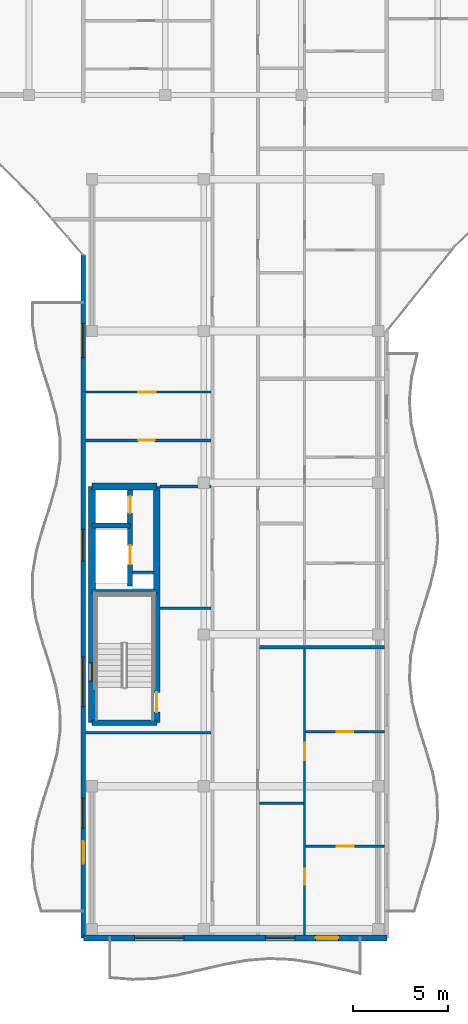
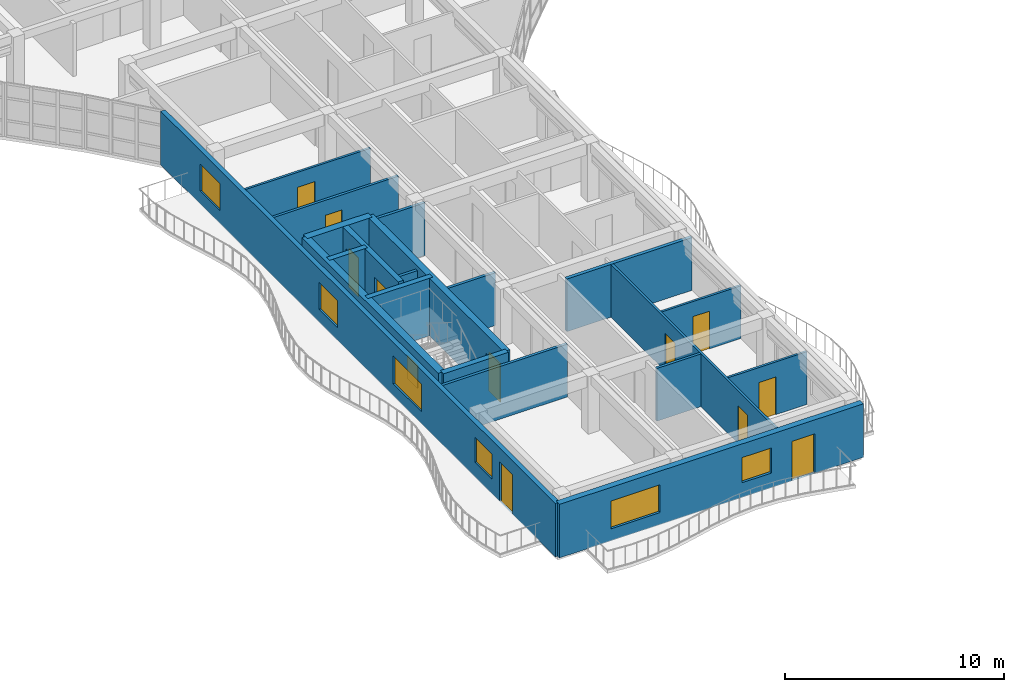
# One storey, part 37 of 72: 20 walls, 11 doors, 7 windows, 18 openings.
"""IFC4 building model written with IfcOpenShell, lengths in metres."""

from ifc_helpers import new_model, si_unit, direction, frame, frame_2d, origin, place, context, subcontext, project, spatial, rectangle, extrude, material, layer, layer_set, type_object, element, fill, save


model = new_model("IFC4")

# Units and contexts
model_context = context("Model", 3, precision=1e-05, world=origin(), true_north=direction((0.0, 1.0)))
body_context = subcontext(model_context, "Body", "Model", "MODEL_VIEW")
ifc_project = project(units=[si_unit("LENGTHUNIT", "METRE"), si_unit("AREAUNIT", "SQUARE_METRE"), si_unit("VOLUMEUNIT", "CUBIC_METRE"), si_unit("PLANEANGLEUNIT", "RADIAN"), si_unit("MASSUNIT", "GRAM", prefix="KILO")], contexts=[model_context])

# Site, building, storey
site_placement = place(None, origin())
site = spatial("IfcSite", under=ifc_project, at=site_placement, CompositionType="ELEMENT")
building_placement = place(site_placement, origin())
building = spatial("IfcBuilding", under=site, at=building_placement, Name="Keldmere Railside Commons", CompositionType="ELEMENT")
storey_placement = place(building_placement, frame((0.0, 0.0, 16.9599609375)))
storey = spatial("IfcBuildingStorey", under=building, at=storey_placement, Name="L05", CompositionType="ELEMENT", Elevation=16.9599609375)

# Wall
ifc_material_1 = material(Name="Acoustic Gypsum Board Partition", Category="gypsum")
ifc_layer_1 = layer(ifc_material_1, 0.179931640625, Name="Acoustic Demising Partition 180")
ifc_layer_set_1 = layer_set([ifc_layer_1], Name="Acoustic Gypsum Board Partition")
wall_type_1 = type_object("IfcWallType", Name="Acoustic Demising Partition 180", PredefinedType="PARTITIONING", material=ifc_layer_set_1)
wall_1_placement = place(storey_placement, frame((113.280029296875, 71.330078125, 0.0), z_axis=(0.0, 0.0, 1.0), x_axis=(1.0, 0.0, 0.0)))
element("IfcWall", 1, at=wall_1_placement, inside=storey, type_object=wall_type_1, Name="IW-1 IW-L05-1104", PredefinedType="PARTITIONING", context=body_context, shape_type="SweptSolid", body=[
    extrude(rectangle(XDim=6.599853515625, YDim=0.179931640625, at=frame_2d((3.2998046875, 0.0))), origin(), (0.0, 0.0, 1.0), 2.93505859375),
])

# Wall, openings, doors
ifc_layer_2 = layer(ifc_material_1, 0.1201171875, Name="Apartment Interior Partition 120")
ifc_layer_set_2 = layer_set([ifc_layer_2], Name="Acoustic Gypsum Board Partition")
wall_type_2 = type_object("IfcWallType", Name="Apartment Interior Partition 120", PredefinedType="PARTITIONING", material=ifc_layer_set_2)
wall_2_placement = place(storey_placement, frame((115.659912109375, 56.159912109375, 0.0), z_axis=(0.0, 0.0, 1.0), x_axis=(0.0, 1.0, 0.0)))
wall_2 = element("IfcWall", 2, at=wall_2_placement, inside=storey, type_object=wall_type_2, Name="IW-4 IW-L05-1107", PredefinedType="PARTITIONING", context=body_context, shape_type="SweptSolid", body=[
    extrude(rectangle(XDim=15.080078125, YDim=0.1201171875, at=frame_2d((7.5400390625, 0.0))), origin(), (0.0, 0.0, 1.0), 2.93505859375),
])
opening_1_placement = place(wall_2_placement, frame((2.63720703125, 0.0, 0.0)))
opening_1 = element("IfcOpeningElement", 3, at=opening_1_placement, cuts=wall_2, Name="Opening ID-04", PredefinedType="OPENING", context=body_context, shape_type="SweptSolid", body=[
    extrude(rectangle(XDim=0.860107421875, YDim=2.10009765625, at=frame_2d((0.43017578125, 1.050048828125))), frame((0.0, 0.070068359375, 0.0), z_axis=(0.0, -1.0, 0.0), x_axis=(1.0, 0.0, 0.0)), (0.0, 0.0, 1.0), 0.14013671875),
])
opening_2_placement = place(wall_2_placement, frame((9.21923828125, 0.0, 0.0)))
opening_2 = element("IfcOpeningElement", 4, at=opening_2_placement, cuts=wall_2, Name="Opening ID-03", PredefinedType="OPENING", context=body_context, shape_type="SweptSolid", body=[
    extrude(rectangle(XDim=0.919921875, YDim=2.10009765625, at=frame_2d((0.4599609375, 1.050048828125))), frame((0.0, 0.070068359375, 0.0), z_axis=(0.0, -1.0, 0.0), x_axis=(1.0, 0.0, 0.0)), (0.0, 0.0, 1.0), 0.14013671875),
])
ifc_material_2 = material(Name="Engineered Oak Timber", Category="wood")
door_type_1 = type_object("IfcDoorType", Name="Apartment Bathroom Door 860x2100", OperationType="NOTDEFINED", PredefinedType="DOOR", material=ifc_material_2)
door_1_placement = place(opening_1_placement, origin())
door_1 = element("IfcDoor", 5, at=door_1_placement, inside=storey, type_object=door_type_1, Name="ID-04 IDR-L05-0968", OperationType="SINGLE_SWING_RIGHT", OverallHeight=2.10009765625, OverallWidth=0.860107421875, PredefinedType="DOOR", context=body_context, shape_type="SweptSolid", body=[
    extrude(rectangle(XDim=0.860107421875, YDim=2.10009765625, at=frame_2d((0.43017578125, 1.050048828125))), frame((0.0, 0.02490234375, 0.0), z_axis=(0.0, -1.0, 0.0), x_axis=(1.0, 0.0, 0.0)), (0.0, 0.0, 1.0), 0.050048828125),
])
fill(opening_1, door_1)
door_type_2 = type_object("IfcDoorType", Name="Kitchen Pocket-Frame Swing Door 920x2100", OperationType="NOTDEFINED", PredefinedType="DOOR", material=ifc_material_2)
door_2_placement = place(opening_2_placement, origin())
door_2 = element("IfcDoor", 6, at=door_2_placement, inside=storey, type_object=door_type_2, Name="ID-03 IDR-L05-0969", OperationType="SINGLE_SWING_LEFT", OverallHeight=2.10009765625, OverallWidth=0.919921875, PredefinedType="DOOR", context=body_context, shape_type="SweptSolid", body=[
    extrude(rectangle(XDim=0.919921875, YDim=2.10009765625, at=frame_2d((0.4599609375, 1.050048828125))), frame((0.0, 0.02490234375, 0.0), z_axis=(0.0, -1.0, 0.0), x_axis=(1.0, 0.0, 0.0)), (0.0, 0.0, 1.0), 0.050048828125),
])
fill(opening_2, door_2)

# Wall, opening, door
wall_3_placement = place(storey_placement, frame((115.719970703125, 60.830078125, 0.0), z_axis=(0.0, 0.0, 1.0), x_axis=(1.0, 0.0, 0.0)))
wall_3 = element("IfcWall", 7, at=wall_3_placement, inside=storey, type_object=wall_type_2, Name="IW-4 IW-L05-1109", PredefinedType="PARTITIONING", context=body_context, shape_type="SweptSolid", body=[
    extrude(rectangle(XDim=4.159912109375, YDim=0.1201171875, at=frame_2d((2.080078125, 0.0))), origin(), (0.0, 0.0, 1.0), 2.93505859375),
])
opening_3_placement = place(wall_3_placement, frame((1.6298828125, 0.0, 0.0)))
opening_3 = element("IfcOpeningElement", 8, at=opening_3_placement, cuts=wall_3, Name="Opening ID-01", PredefinedType="OPENING", context=body_context, shape_type="SweptSolid", body=[
    extrude(rectangle(XDim=0.89990234375, YDim=2.10009765625, at=frame_2d((0.449951171875, 1.050048828125))), frame((0.0, 0.070068359375, 0.0), z_axis=(0.0, -1.0, 0.0), x_axis=(1.0, 0.0, 0.0)), (0.0, 0.0, 1.0), 0.14013671875),
])
door_type_3 = type_object("IfcDoorType", Name="Primary Bedroom Door 900x2100", OperationType="NOTDEFINED", PredefinedType="DOOR", material=ifc_material_2)
door_3_placement = place(opening_3_placement, origin())
door_3 = element("IfcDoor", 9, at=door_3_placement, inside=storey, type_object=door_type_3, Name="ID-01 IDR-L05-0971", OperationType="SINGLE_SWING_LEFT", OverallHeight=2.10009765625, OverallWidth=0.89990234375, PredefinedType="DOOR", context=body_context, shape_type="SweptSolid", body=[
    extrude(rectangle(XDim=0.89990234375, YDim=2.10009765625, at=frame_2d((0.449951171875, 1.050048828125))), frame((0.0, 0.02490234375, 0.0), z_axis=(0.0, -1.0, 0.0), x_axis=(1.0, 0.0, 0.0)), (0.0, 0.0, 1.0), 0.050048828125),
])
fill(opening_3, door_3)

wall_4_placement = place(storey_placement, frame((115.719970703125, 66.8701171875, 0.0), z_axis=(0.0, 0.0, 1.0), x_axis=(1.0, 0.0, 0.0)))
wall_4 = element("IfcWall", 10, at=wall_4_placement, inside=storey, type_object=wall_type_2, Name="IW-4 IW-L05-1110", PredefinedType="PARTITIONING", context=body_context, shape_type="SweptSolid", body=[
    extrude(rectangle(XDim=4.159912109375, YDim=0.1201171875, at=frame_2d((2.080078125, 0.0))), origin(), (0.0, 0.0, 1.0), 2.93505859375),
])
opening_4_placement = place(wall_4_placement, frame((1.639892578125, 0.0, 0.0)))
opening_4 = element("IfcOpeningElement", 11, at=opening_4_placement, cuts=wall_4, Name="Opening ID-02", PredefinedType="OPENING", context=body_context, shape_type="SweptSolid", body=[
    extrude(rectangle(XDim=0.8798828125, YDim=2.10009765625, at=frame_2d((0.43994140625, 1.050048828125))), frame((0.0, 0.070068359375, 0.0), z_axis=(0.0, -1.0, 0.0), x_axis=(1.0, 0.0, 0.0)), (0.0, 0.0, 1.0), 0.14013671875),
])
door_type_4 = type_object("IfcDoorType", Name="Secondary Bedroom Door 880x2100", OperationType="NOTDEFINED", PredefinedType="DOOR", material=ifc_material_2)
door_4_placement = place(opening_4_placement, origin())
door_4 = element("IfcDoor", 12, at=door_4_placement, inside=storey, type_object=door_type_4, Name="ID-02 IDR-L05-0972", OperationType="SINGLE_SWING_RIGHT", OverallHeight=2.10009765625, OverallWidth=0.8798828125, PredefinedType="DOOR", context=body_context, shape_type="SweptSolid", body=[
    extrude(rectangle(XDim=0.8798828125, YDim=2.10009765625, at=frame_2d((0.43994140625, 1.050048828125))), frame((0.0, 0.02490234375, 0.0), z_axis=(0.0, -1.0, 0.0), x_axis=(1.0, 0.0, 0.0)), (0.0, 0.0, 1.0), 0.050048828125),
])
fill(opening_4, door_4)

wall_5_placement = place(storey_placement, frame((104.1201171875, 84.780029296875, 0.0), z_axis=(0.0, 0.0, 1.0), x_axis=(1.0, 0.0, 0.0)))
wall_5 = element("IfcWall", 13, at=wall_5_placement, inside=storey, type_object=wall_type_2, Name="IW-4 IW-L05-1137", PredefinedType="PARTITIONING", context=body_context, shape_type="SweptSolid", body=[
    extrude(rectangle(XDim=6.599853515625, YDim=0.1201171875, at=frame_2d((3.2998046875, 0.0))), origin(), (0.0, 0.0, 1.0), 2.93505859375),
])
opening_5_placement = place(wall_5_placement, frame((2.77197265625, 0.0, 0.0)))
opening_5 = element("IfcOpeningElement", 14, at=opening_5_placement, cuts=wall_5, Name="Opening ID-03", PredefinedType="OPENING", context=body_context, shape_type="SweptSolid", body=[
    extrude(rectangle(XDim=0.919921875, YDim=2.10009765625, at=frame_2d((0.4599609375, 1.050048828125))), frame((0.0, 0.070068359375, 0.0), z_axis=(0.0, -1.0, 0.0), x_axis=(1.0, 0.0, 0.0)), (0.0, 0.0, 1.0), 0.14013671875),
])
door_5_placement = place(opening_5_placement, origin())
door_5 = element("IfcDoor", 15, at=door_5_placement, inside=storey, type_object=door_type_2, Name="ID-03 IDR-L05-1007", OperationType="SINGLE_SWING_LEFT", OverallHeight=2.10009765625, OverallWidth=0.919921875, PredefinedType="DOOR", context=body_context, shape_type="SweptSolid", body=[
    extrude(rectangle(XDim=0.919921875, YDim=2.10009765625, at=frame_2d((0.4599609375, 1.050048828125))), frame((0.0, 0.02490234375, 0.0), z_axis=(0.0, -1.0, 0.0), x_axis=(1.0, 0.0, 0.0)), (0.0, 0.0, 1.0), 0.050048828125),
])
fill(opening_5, door_5)

# Walls
ifc_material_3 = material(Name="Concrete H-35 (C35/45)", Category="concrete")
ifc_layer_3 = layer(ifc_material_3, 0.280029296875, Name="Core Shear Wall 280")
ifc_layer_set_3 = layer_set([ifc_layer_3], Name="Concrete H-35 (C35/45)")
wall_type_3 = type_object("IfcWallType", Name="Core Shear Wall 280", PredefinedType="SHEAR", material=ifc_layer_set_3)
wall_6_placement = place(storey_placement, frame((104.4599609375, 74.239990234375, 0.0), z_axis=(0.0, 0.0, 1.0), x_axis=(1.0, 0.0, 0.0)))
element("IfcWall", 16, at=wall_6_placement, inside=storey, type_object=wall_type_3, Name="CSW-2 COREBM-L05-0496", PredefinedType="SHEAR", context=body_context, shape_type="SweptSolid", body=[
    extrude(rectangle(XDim=3.41015625, YDim=0.280029296875, at=frame_2d((1.705078125, 0.0))), origin(), (0.0, 0.0, 1.0), 3.199951171875),
])
wall_7_placement = place(storey_placement, frame((104.4599609375, 77.75, 0.0), z_axis=(0.0, 0.0, 1.0), x_axis=(1.0, 0.0, 0.0)))
element("IfcWall", 17, at=wall_7_placement, inside=storey, type_object=wall_type_3, Name="CSW-2 COREBL-L05-0497", PredefinedType="SHEAR", context=body_context, shape_type="SweptSolid", body=[
    extrude(rectangle(XDim=2.0, YDim=0.280029296875, at=frame_2d((1.0, 0.0))), origin(), (0.0, 0.0, 1.0), 3.199951171875),
])

# Wall, openings, doors
wall_8_placement = place(storey_placement, frame((106.4599609375, 74.550048828125, 0.0), z_axis=(0.0, 0.0, 1.0), x_axis=(0.0, 1.0, 0.0)))
wall_8 = element("IfcWall", 18, at=wall_8_placement, inside=storey, type_object=wall_type_3, Name="CSW-2 LSHB-L05-0498", PredefinedType="SHEAR", context=body_context, shape_type="SweptSolid", body=[
    extrude(rectangle(XDim=5.25, YDim=0.280029296875, at=frame_2d((2.625, 0.0))), origin(), (0.0, 0.0, 1.0), 3.199951171875),
])
opening_6_placement = place(wall_8_placement, frame((1.14990234375, 0.0, 0.0)))
opening_6 = element("IfcOpeningElement", 19, at=opening_6_placement, cuts=wall_8, Name="Opening LD-1", PredefinedType="OPENING", context=body_context, shape_type="SweptSolid", body=[
    extrude(rectangle(XDim=1.0, YDim=2.14990234375, at=frame_2d((0.5, 1.074951171875))), frame((0.0, 0.14990234375, 0.0), z_axis=(0.0, -1.0, 0.0), x_axis=(1.0, 0.0, 0.0)), (0.0, 0.0, 1.0), 0.300048828125),
])
opening_7_placement = place(wall_8_placement, frame((3.85009765625, 0.0, 0.0)))
opening_7 = element("IfcOpeningElement", 20, at=opening_7_placement, cuts=wall_8, Name="Opening LD-2", PredefinedType="OPENING", context=body_context, shape_type="SweptSolid", body=[
    extrude(rectangle(XDim=0.89990234375, YDim=2.14990234375, at=frame_2d((0.449951171875, 1.074951171875))), frame((0.0, 0.14990234375, 0.0), z_axis=(0.0, -1.0, 0.0), x_axis=(1.0, 0.0, 0.0)), (0.0, 0.0, 1.0), 0.300048828125),
])
ifc_material_4 = material(Name="Steel F-24 (S235)", Category="steel")
door_type_5 = type_object("IfcDoorType", Name="Firefighting Stretcher Lift Landing Door 1000x2150", OperationType="SLIDING_TO_LEFT", PredefinedType="DOOR", material=ifc_material_4)
door_6_placement = place(opening_6_placement, origin())
door_6 = element("IfcDoor", 21, at=door_6_placement, inside=storey, type_object=door_type_5, Name="LD-1 B L05", OperationType="SLIDING_TO_LEFT", OverallHeight=2.14990234375, OverallWidth=1.0, PredefinedType="DOOR", context=body_context, shape_type="SweptSolid", body=[
    extrude(rectangle(XDim=1.0, YDim=2.14990234375, at=frame_2d((0.5, 1.074951171875))), frame((0.0, 0.02490234375, 0.0), z_axis=(0.0, -1.0, 0.0), x_axis=(1.0, 0.0, 0.0)), (0.0, 0.0, 1.0), 0.050048828125),
])
fill(opening_6, door_6)
door_type_6 = type_object("IfcDoorType", Name="Passenger Lift Sliding Landing Door 900x2150", OperationType="SLIDING_TO_RIGHT", PredefinedType="DOOR", material=ifc_material_4)
door_7_placement = place(opening_7_placement, origin())
door_7 = element("IfcDoor", 22, at=door_7_placement, inside=storey, type_object=door_type_6, Name="LD-2 B L05", OperationType="SLIDING_TO_RIGHT", OverallHeight=2.14990234375, OverallWidth=0.89990234375, PredefinedType="DOOR", context=body_context, shape_type="SweptSolid", body=[
    extrude(rectangle(XDim=0.89990234375, YDim=2.14990234375, at=frame_2d((0.449951171875, 1.074951171875))), frame((0.0, 0.02490234375, 0.0), z_axis=(0.0, -1.0, 0.0), x_axis=(1.0, 0.0, 0.0)), (0.0, 0.0, 1.0), 0.050048828125),
])
fill(opening_7, door_7)

# Wall, opening, window
ifc_material_5 = material(Name="Concrete H-40 (C40/50)", Category="concrete")
ifc_layer_4 = layer(ifc_material_5, 0.3798828125, Name="Core Shear Wall 380")
ifc_layer_set_4 = layer_set([ifc_layer_4], Name="Concrete H-40 (C40/50)")
wall_type_4 = type_object("IfcWallType", Name="Core Shear Wall 380", PredefinedType="SHEAR", material=ifc_layer_set_4)
wall_9_placement = place(storey_placement, frame((104.4599609375, 67.35009765625, 0.0), z_axis=(0.0, 0.0, 1.0), x_axis=(0.0, 1.0, 0.0)))
wall_9 = element("IfcWall", 23, at=wall_9_placement, inside=storey, type_object=wall_type_4, Name="CW-CORE COREBW-L05-0492", PredefinedType="SHEAR", context=body_context, shape_type="SweptSolid", body=[
    extrude(rectangle(XDim=12.449951171875, YDim=0.3798828125, at=frame_2d((6.22509765625, 0.0))), origin(), (0.0, 0.0, 1.0), 3.199951171875),
])
opening_8_placement = place(wall_9_placement, frame((2.199951171875, 0.0, 0.969970703125)))
opening_8 = element("IfcOpeningElement", 24, at=opening_8_placement, cuts=wall_9, Name="Opening WN-17", PredefinedType="OPENING", context=body_context, shape_type="SweptSolid", body=[
    extrude(rectangle(XDim=0.949951171875, YDim=1.25, at=frame_2d((0.47509765625, 0.625))), frame((0.0, 0.199951171875, 0.0), z_axis=(0.0, -1.0, 0.0), x_axis=(1.0, 0.0, 0.0)), (0.0, 0.0, 1.0), 0.39990234375),
])
ifc_material_6 = material(Name="Low-E Insulated Double Glazing", Category="glass")
window_type_1 = type_object("IfcWindowType", Name="Stair Core Natural Smoke-Vent Window 950x1250", PartitioningType="SINGLE_PANEL", PredefinedType="WINDOW", material=ifc_material_6)
window_1_placement = place(opening_8_placement, origin())
window_1 = element("IfcWindow", 25, at=window_1_placement, inside=storey, type_object=window_type_1, Name="WN-17 WIN-L05-0342", OverallHeight=1.25, OverallWidth=0.949951171875, PartitioningType="SINGLE_PANEL", PredefinedType="WINDOW", context=body_context, shape_type="SweptSolid", body=[
    extrude(rectangle(XDim=0.949951171875, YDim=1.25, at=frame_2d((0.47509765625, 0.625))), frame((0.0, 0.030029296875, 0.0), z_axis=(0.0, -1.0, 0.0), x_axis=(1.0, 0.0, 0.0)), (0.0, 0.0, 1.0), 0.06005859375),
])
fill(opening_8, window_1)

# Wall
wall_10_placement = place(storey_placement, frame((104.4599609375, 79.800048828125, 0.0), z_axis=(0.0, 0.0, 1.0), x_axis=(1.0, 0.0, 0.0)))
element("IfcWall", 26, at=wall_10_placement, inside=storey, type_object=wall_type_4, Name="CW-CORE COREBN-L05-0493", PredefinedType="SHEAR", context=body_context, shape_type="SweptSolid", body=[
    extrude(rectangle(XDim=3.41015625, YDim=0.3798828125, at=frame_2d((1.705078125, 0.0))), origin(), (0.0, 0.0, 1.0), 3.199951171875),
])

# Wall, openings, door, windows
ifc_layer_5 = layer(ifc_material_3, 0.320068359375, Name="Exterior Shear Wall 320")
ifc_layer_set_5 = layer_set([ifc_layer_5], Name="Concrete H-35 (C35/45)")
wall_type_5 = type_object("IfcWallType", Name="Exterior Shear Wall 320", PredefinedType="SHEAR", material=ifc_layer_set_5)
wall_11_placement = place(storey_placement, frame((120.0, 56.0, 0.0), z_axis=(0.0, 0.0, 1.0), x_axis=(-1.0, 0.0, 0.0)))
wall_11 = element("IfcWall", 27, at=wall_11_placement, inside=storey, type_object=wall_type_5, Name="ESW-2 EXTB-L05-0620", PredefinedType="SHEAR", context=body_context, shape_type="SweptSolid", body=[
    extrude(rectangle(XDim=16.0, YDim=0.320068359375, at=frame_2d((8.0, 0.0))), origin(), (0.0, 0.0, 1.0), 2.97998046875),
])
opening_9_placement = place(wall_11_placement, frame((2.550048828125, 0.0, 0.0)))
opening_9 = element("IfcOpeningElement", 28, at=opening_9_placement, cuts=wall_11, Name="Opening BD-01", PredefinedType="OPENING", context=body_context, shape_type="SweptSolid", body=[
    extrude(rectangle(XDim=1.199951171875, YDim=2.199951171875, at=frame_2d((0.60009765625, 1.10009765625))), frame((0.0, 0.169921875, 0.0), z_axis=(0.0, -1.0, 0.0), x_axis=(1.0, 0.0, 0.0)), (0.0, 0.0, 1.0), 0.340087890625),
])
opening_10_placement = place(wall_11_placement, frame((4.85009765625, 0.0, 0.820068359375)))
opening_10 = element("IfcOpeningElement", 29, at=opening_10_placement, cuts=wall_11, Name="Opening WN-07", PredefinedType="OPENING", context=body_context, shape_type="SweptSolid", body=[
    extrude(rectangle(XDim=1.550048828125, YDim=1.39990234375, at=frame_2d((0.77490234375, 0.699951171875))), frame((0.0, 0.169921875, 0.0), z_axis=(0.0, -1.0, 0.0), x_axis=(1.0, 0.0, 0.0)), (0.0, 0.0, 1.0), 0.340087890625),
])
opening_11_placement = place(wall_11_placement, frame((10.699951171875, 0.0, 0.669921875)))
opening_11 = element("IfcOpeningElement", 30, at=opening_11_placement, cuts=wall_11, Name="Opening WN-39", PredefinedType="OPENING", context=body_context, shape_type="SweptSolid", body=[
    extrude(rectangle(XDim=2.60009765625, YDim=1.550048828125, at=frame_2d((1.300048828125, 0.77490234375))), frame((0.0, 0.169921875, 0.0), z_axis=(0.0, -1.0, 0.0), x_axis=(1.0, 0.0, 0.0)), (0.0, 0.0, 1.0), 0.340087890625),
])
ifc_material_7 = material(Name="Thermally Broken Aluminium", Category="aluminium")
door_type_7 = type_object("IfcDoorType", Name="Apartment Living Wave-Balcony Glazed Door 1200x2200", OperationType="NOTDEFINED", PredefinedType="DOOR", material=ifc_material_7)
door_8_placement = place(opening_9_placement, origin())
door_8 = element("IfcDoor", 31, at=door_8_placement, inside=storey, type_object=door_type_7, Name="BD-01 DR-L05-0160", OperationType="SINGLE_SWING_RIGHT", OverallHeight=2.199951171875, OverallWidth=1.199951171875, PredefinedType="DOOR", context=body_context, shape_type="SweptSolid", body=[
    extrude(rectangle(XDim=1.199951171875, YDim=2.199951171875, at=frame_2d((0.60009765625, 1.10009765625))), frame((0.0, 0.02490234375, 0.0), z_axis=(0.0, -1.0, 0.0), x_axis=(1.0, 0.0, 0.0)), (0.0, 0.0, 1.0), 0.050048828125),
])
fill(opening_9, door_8)
window_type_2 = type_object("IfcWindowType", Name="Primary Bedroom South Window 1550x1400", PartitioningType="SINGLE_PANEL", PredefinedType="WINDOW", material=ifc_material_6)
window_2_placement = place(opening_10_placement, origin())
window_2 = element("IfcWindow", 32, at=window_2_placement, inside=storey, type_object=window_type_2, Name="WN-07 WIN-L05-0436", OverallHeight=1.39990234375, OverallWidth=1.550048828125, PartitioningType="SINGLE_PANEL", PredefinedType="WINDOW", context=body_context, shape_type="SweptSolid", body=[
    extrude(rectangle(XDim=1.550048828125, YDim=1.39990234375, at=frame_2d((0.77490234375, 0.699951171875))), frame((0.0, 0.030029296875, 0.0), z_axis=(0.0, -1.0, 0.0), x_axis=(1.0, 0.0, 0.0)), (0.0, 0.0, 1.0), 0.06005859375),
])
fill(opening_10, window_2)
window_type_3 = type_object("IfcWindowType", Name="Three-Bed Corner Living Window 2600x1550", PartitioningType="SINGLE_PANEL", PredefinedType="WINDOW", material=ifc_material_6)
window_3_placement = place(opening_11_placement, origin())
window_3 = element("IfcWindow", 33, at=window_3_placement, inside=storey, type_object=window_type_3, Name="WN-39 WIN-L05-0437", OverallHeight=1.550048828125, OverallWidth=2.60009765625, PartitioningType="SINGLE_PANEL", PredefinedType="WINDOW", context=body_context, shape_type="SweptSolid", body=[
    extrude(rectangle(XDim=2.60009765625, YDim=1.550048828125, at=frame_2d((1.300048828125, 0.77490234375))), frame((0.0, 0.030029296875, 0.0), z_axis=(0.0, -1.0, 0.0), x_axis=(1.0, 0.0, 0.0)), (0.0, 0.0, 1.0), 0.06005859375),
])
fill(opening_11, window_3)

# Wall
ifc_layer_6 = layer(ifc_material_3, 0.300048828125, Name="Interior Shear Wall 300")
ifc_layer_set_6 = layer_set([ifc_layer_6], Name="Concrete H-35 (C35/45)")
wall_type_6 = type_object("IfcWallType", Name="Interior Shear Wall 300", PredefinedType="SHEAR", material=ifc_layer_set_6)
wall_12_placement = place(storey_placement, frame((107.8701171875, 67.35009765625, 0.0), z_axis=(0.0, 0.0, 1.0), x_axis=(-1.0, 0.0, 0.0)))
element("IfcWall", 34, at=wall_12_placement, inside=storey, type_object=wall_type_6, Name="ISW-2 COREBS-L05-0495", PredefinedType="SHEAR", context=body_context, shape_type="SweptSolid", body=[
    extrude(rectangle(XDim=3.41015625, YDim=0.300048828125, at=frame_2d((1.705078125, 0.0))), origin(), (0.0, 0.0, 1.0), 3.199951171875),
])

# Wall, opening, door
ifc_layer_7 = layer(ifc_material_3, 0.340087890625, Name="Interior Shear Wall 340")
ifc_layer_set_7 = layer_set([ifc_layer_7], Name="Concrete H-35 (C35/45)")
wall_type_7 = type_object("IfcWallType", Name="Interior Shear Wall 340", PredefinedType="SHEAR", material=ifc_layer_set_7)
wall_13_placement = place(storey_placement, frame((107.8701171875, 79.800048828125, 0.0), z_axis=(0.0, 0.0, 1.0), x_axis=(0.0, -1.0, 0.0)))
wall_13 = element("IfcWall", 35, at=wall_13_placement, inside=storey, type_object=wall_type_7, Name="ISW-1 COREBE-L05-0494", PredefinedType="SHEAR", context=body_context, shape_type="SweptSolid", body=[
    extrude(rectangle(XDim=12.449951171875, YDim=0.340087890625, at=frame_2d((6.22509765625, 0.0))), origin(), (0.0, 0.0, 1.0), 3.199951171875),
])
opening_12_placement = place(wall_13_placement, frame((10.85009765625, 0.0, 0.0)))
opening_12 = element("IfcOpeningElement", 36, at=opening_12_placement, cuts=wall_13, Name="Opening FD-1", PredefinedType="OPENING", context=body_context, shape_type="SweptSolid", body=[
    extrude(rectangle(XDim=1.050048828125, YDim=2.14990234375, at=frame_2d((0.52490234375, 1.074951171875))), frame((0.0, 0.179931640625, 0.0), z_axis=(0.0, -1.0, 0.0), x_axis=(1.0, 0.0, 0.0)), (0.0, 0.0, 1.0), 0.360107421875),
])
door_type_8 = type_object("IfcDoorType", Name="Stair Core Fire Door 1050x2150", OperationType="NOTDEFINED", PredefinedType="DOOR", material=ifc_material_4)
door_9_placement = place(opening_12_placement, origin())
door_9 = element("IfcDoor", 37, at=door_9_placement, inside=storey, type_object=door_type_8, Name="FD-1 B1 L05", OperationType="SINGLE_SWING_LEFT", OverallHeight=2.14990234375, OverallWidth=1.050048828125, PredefinedType="DOOR", context=body_context, shape_type="SweptSolid", body=[
    extrude(rectangle(XDim=1.050048828125, YDim=2.14990234375, at=frame_2d((0.52490234375, 1.074951171875))), frame((0.0, 0.02490234375, 0.0), z_axis=(0.0, -1.0, 0.0), x_axis=(1.0, 0.0, 0.0)), (0.0, 0.0, 1.0), 0.050048828125),
])
fill(opening_12, door_9)

# Walls
ifc_layer_8 = layer(ifc_material_1, 0.14990234375, Name="Lobby Rated Partition 150")
ifc_layer_set_8 = layer_set([ifc_layer_8], Name="Acoustic Gypsum Board Partition")
wall_type_8 = type_object("IfcWallType", Name="Lobby Rated Partition 150", PredefinedType="PARTITIONING", material=ifc_layer_set_8)
wall_14_placement = place(storey_placement, frame((106.60009765625, 75.280029296875, 0.0), z_axis=(0.0, 0.0, 1.0), x_axis=(1.0, 0.0, 0.0)))
element("IfcWall", 38, at=wall_14_placement, inside=storey, type_object=wall_type_8, Name="IW-3 RSRNB-L05-0499", PredefinedType="PARTITIONING", context=body_context, shape_type="SweptSolid", body=[
    extrude(rectangle(XDim=1.1298828125, YDim=0.14990234375, at=frame_2d((0.56494140625, 0.0))), origin(), (0.0, 0.0, 1.0), 2.949951171875),
])
wall_15_placement = place(storey_placement, frame((104.1201171875, 66.820068359375, 0.0), z_axis=(0.0, 0.0, 1.0), x_axis=(1.0, 0.0, 0.0)))
element("IfcWall", 39, at=wall_15_placement, inside=storey, type_object=wall_type_8, Name="IW-3 IW-L05-1092", PredefinedType="PARTITIONING", context=body_context, shape_type="SweptSolid", body=[
    extrude(rectangle(XDim=6.599853515625, YDim=0.14990234375, at=frame_2d((3.2998046875, 0.0))), origin(), (0.0, 0.0, 1.0), 2.93505859375),
])
for number, where, z_axis, x_axis, name in (
    (40, (108.0400390625, 73.3798828125, 0.0), (0.0, 0.0, 1.0), (1.0, 0.0, 0.0), "IW-3 IW-L05-1093"),
    (41, (108.0400390625, 79.800048828125, 0.0), (0.0, 0.0, 1.0), (1.0, 0.0, 0.0), "IW-3 IW-L05-1094"),
):
    element("IfcWall", number, at=place(storey_placement, frame(where, z_axis=z_axis, x_axis=x_axis)), inside=storey, type_object=wall_type_8, Name=name, PredefinedType="PARTITIONING", context=body_context, shape_type="SweptSolid", body=[
        extrude(rectangle(XDim=2.679931640625, YDim=0.14990234375, at=frame_2d((1.33984375, 0.0))), origin(), (0.0, 0.0, 1.0), 2.93505859375),
    ])

# Wall, openings, door, windows
ifc_material_8 = material(Name="Architectural Precast Concrete H-35 (C35/45)", Category="concrete")
ifc_layer_9 = layer(ifc_material_8, 0.239990234375, Name="Sand-Ochre Precast Cavity Wall 240")
ifc_layer_set_9 = layer_set([ifc_layer_9], Name="Architectural Precast Concrete H-35 (C35/45)")
wall_type_9 = type_object("IfcWallType", Name="Sand-Ochre Precast Cavity Wall 240", PredefinedType="SOLIDWALL", material=ifc_layer_set_9)
wall_16_placement = place(storey_placement, frame((104.0, 56.0, 0.0), z_axis=(0.0, 0.0, 1.0), x_axis=(0.0, 1.0, 0.0)))
wall_16 = element("IfcWall", 42, at=wall_16_placement, inside=storey, type_object=wall_type_9, Name="EW-2 EXTB-L05-0627", PredefinedType="SOLIDWALL", context=body_context, shape_type="SweptSolid", body=[
    extrude(rectangle(XDim=36.0, YDim=0.239990234375, at=frame_2d((18.0, 0.0))), origin(), (0.0, 0.0, 1.0), 2.97998046875),
])
opening_13_placement = place(wall_16_placement, frame((3.89990234375, 0.0, 0.0)))
opening_13 = element("IfcOpeningElement", 43, at=opening_13_placement, cuts=wall_16, Name="Opening BD-01", PredefinedType="OPENING", context=body_context, shape_type="SweptSolid", body=[
    extrude(rectangle(XDim=1.199951171875, YDim=2.199951171875, at=frame_2d((0.60009765625, 1.10009765625))), frame((0.0, 0.1298828125, 0.0), z_axis=(0.0, -1.0, 0.0), x_axis=(1.0, 0.0, 0.0)), (0.0, 0.0, 1.0), 0.260009765625),
])
opening_14_placement = place(wall_16_placement, frame((5.800048828125, 0.0, 0.820068359375)))
opening_14 = element("IfcOpeningElement", 44, at=opening_14_placement, cuts=wall_16, Name="Opening WN-07", PredefinedType="OPENING", context=body_context, shape_type="SweptSolid", body=[
    extrude(rectangle(XDim=1.550048828125, YDim=1.39990234375, at=frame_2d((0.77490234375, 0.699951171875))), frame((0.0, 0.1298828125, 0.0), z_axis=(0.0, -1.0, 0.0), x_axis=(1.0, 0.0, 0.0)), (0.0, 0.0, 1.0), 0.260009765625),
])
opening_15_placement = place(wall_16_placement, frame((12.199951171875, 0.0, 0.669921875)))
opening_15 = element("IfcOpeningElement", 45, at=opening_15_placement, cuts=wall_16, Name="Opening WN-39", PredefinedType="OPENING", context=body_context, shape_type="SweptSolid", body=[
    extrude(rectangle(XDim=2.60009765625, YDim=1.550048828125, at=frame_2d((1.300048828125, 0.77490234375))), frame((0.0, 0.1298828125, 0.0), z_axis=(0.0, -1.0, 0.0), x_axis=(1.0, 0.0, 0.0)), (0.0, 0.0, 1.0), 0.260009765625),
])
opening_16_placement = place(wall_16_placement, frame((19.860107421875, 0.0, 0.719970703125)))
opening_16 = element("IfcOpeningElement", 46, at=opening_16_placement, cuts=wall_16, Name="Opening WN-40", PredefinedType="OPENING", context=body_context, shape_type="SweptSolid", body=[
    extrude(rectangle(XDim=1.679931640625, YDim=1.5, at=frame_2d((0.83984375, 0.75))), frame((0.0, 0.1298828125, 0.0), z_axis=(0.0, -1.0, 0.0), x_axis=(1.0, 0.0, 0.0)), (0.0, 0.0, 1.0), 0.260009765625),
])
opening_17_placement = place(wall_16_placement, frame((30.60009765625, 0.0, 0.719970703125)))
opening_17 = element("IfcOpeningElement", 47, at=opening_17_placement, cuts=wall_16, Name="Opening WN-01", PredefinedType="OPENING", context=body_context, shape_type="SweptSolid", body=[
    extrude(rectangle(XDim=1.800048828125, YDim=1.5, at=frame_2d((0.89990234375, 0.75))), frame((0.0, 0.1298828125, 0.0), z_axis=(0.0, -1.0, 0.0), x_axis=(1.0, 0.0, 0.0)), (0.0, 0.0, 1.0), 0.260009765625),
])
door_10_placement = place(opening_13_placement, origin())
door_10 = element("IfcDoor", 48, at=door_10_placement, inside=storey, type_object=door_type_7, Name="BD-01 DR-L05-0167", OperationType="SINGLE_SWING_LEFT", OverallHeight=2.199951171875, OverallWidth=1.199951171875, PredefinedType="DOOR", context=body_context, shape_type="SweptSolid", body=[
    extrude(rectangle(XDim=1.199951171875, YDim=2.199951171875, at=frame_2d((0.60009765625, 1.10009765625))), frame((0.0, 0.02490234375, 0.0), z_axis=(0.0, -1.0, 0.0), x_axis=(1.0, 0.0, 0.0)), (0.0, 0.0, 1.0), 0.050048828125),
])
fill(opening_13, door_10)
window_type_4 = type_object("IfcWindowType", Name="Living Room North Casement Window 1800x1500", PartitioningType="SINGLE_PANEL", PredefinedType="WINDOW", material=ifc_material_6)
window_4_placement = place(opening_17_placement, origin())
window_4 = element("IfcWindow", 49, at=window_4_placement, inside=storey, type_object=window_type_4, Name="WN-01 WIN-L05-0453", OverallHeight=1.5, OverallWidth=1.800048828125, PartitioningType="SINGLE_PANEL", PredefinedType="WINDOW", context=body_context, shape_type="SweptSolid", body=[
    extrude(rectangle(XDim=1.800048828125, YDim=1.5, at=frame_2d((0.89990234375, 0.75))), frame((0.0, 0.030029296875, 0.0), z_axis=(0.0, -1.0, 0.0), x_axis=(1.0, 0.0, 0.0)), (0.0, 0.0, 1.0), 0.06005859375),
])
fill(opening_17, window_4)
window_5_placement = place(opening_14_placement, origin())
window_5 = element("IfcWindow", 50, at=window_5_placement, inside=storey, type_object=window_type_2, Name="WN-07 WIN-L05-0450", OverallHeight=1.39990234375, OverallWidth=1.550048828125, PartitioningType="SINGLE_PANEL", PredefinedType="WINDOW", context=body_context, shape_type="SweptSolid", body=[
    extrude(rectangle(XDim=1.550048828125, YDim=1.39990234375, at=frame_2d((0.77490234375, 0.699951171875))), frame((0.0, 0.030029296875, 0.0), z_axis=(0.0, -1.0, 0.0), x_axis=(1.0, 0.0, 0.0)), (0.0, 0.0, 1.0), 0.06005859375),
])
fill(opening_14, window_5)
window_6_placement = place(opening_15_placement, origin())
window_6 = element("IfcWindow", 51, at=window_6_placement, inside=storey, type_object=window_type_3, Name="WN-39 WIN-L05-0451", OverallHeight=1.550048828125, OverallWidth=2.60009765625, PartitioningType="SINGLE_PANEL", PredefinedType="WINDOW", context=body_context, shape_type="SweptSolid", body=[
    extrude(rectangle(XDim=2.60009765625, YDim=1.550048828125, at=frame_2d((1.300048828125, 0.77490234375))), frame((0.0, 0.030029296875, 0.0), z_axis=(0.0, -1.0, 0.0), x_axis=(1.0, 0.0, 0.0)), (0.0, 0.0, 1.0), 0.06005859375),
])
fill(opening_15, window_6)
window_type_5 = type_object("IfcWindowType", Name="Two-Bed Dining Casement Window 1680x1500", PartitioningType="SINGLE_PANEL", PredefinedType="WINDOW", material=ifc_material_6)
window_7_placement = place(opening_16_placement, origin())
window_7 = element("IfcWindow", 52, at=window_7_placement, inside=storey, type_object=window_type_5, Name="WN-40 WIN-L05-0452", OverallHeight=1.5, OverallWidth=1.679931640625, PartitioningType="SINGLE_PANEL", PredefinedType="WINDOW", context=body_context, shape_type="SweptSolid", body=[
    extrude(rectangle(XDim=1.679931640625, YDim=1.5, at=frame_2d((0.83984375, 0.75))), frame((0.0, 0.030029296875, 0.0), z_axis=(0.0, -1.0, 0.0), x_axis=(1.0, 0.0, 0.0)), (0.0, 0.0, 1.0), 0.06005859375),
])
fill(opening_16, window_7)

# Wall
ifc_layer_10 = layer(ifc_material_1, 0.139892578125, Name="Wet-Room Sanitary Partition 140")
ifc_layer_set_10 = layer_set([ifc_layer_10], Name="Acoustic Gypsum Board Partition")
wall_type_10 = type_object("IfcWallType", Name="Wet-Room Sanitary Partition 140", PredefinedType="PARTITIONING", material=ifc_layer_set_10)
wall_17_placement = place(storey_placement, frame((113.280029296875, 63.10009765625, 0.0), z_axis=(0.0, 0.0, 1.0), x_axis=(1.0, 0.0, 0.0)))
element("IfcWall", 53, at=wall_17_placement, inside=storey, type_object=wall_type_10, Name="IW-5 IW-L05-1108", PredefinedType="PARTITIONING", context=body_context, shape_type="SweptSolid", body=[
    extrude(rectangle(XDim=2.320068359375, YDim=0.139892578125, at=frame_2d((1.16015625, 0.0))), origin(), (0.0, 0.0, 1.0), 2.93505859375),
])

# Wall, opening, door
wall_18_placement = place(storey_placement, frame((104.1201171875, 82.22998046875, 0.0), z_axis=(0.0, 0.0, 1.0), x_axis=(1.0, 0.0, 0.0)))
wall_18 = element("IfcWall", 54, at=wall_18_placement, inside=storey, type_object=wall_type_10, Name="IW-5 IW-L05-1136", PredefinedType="PARTITIONING", context=body_context, shape_type="SweptSolid", body=[
    extrude(rectangle(XDim=6.599853515625, YDim=0.139892578125, at=frame_2d((3.2998046875, 0.0))), origin(), (0.0, 0.0, 1.0), 2.93505859375),
])
opening_18_placement = place(wall_18_placement, frame((2.77197265625, 0.0, 0.0)))
opening_18 = element("IfcOpeningElement", 55, at=opening_18_placement, cuts=wall_18, Name="Opening ID-04", PredefinedType="OPENING", context=body_context, shape_type="SweptSolid", body=[
    extrude(rectangle(XDim=0.860107421875, YDim=2.10009765625, at=frame_2d((0.43017578125, 1.050048828125))), frame((0.0, 0.079833984375, 0.0), z_axis=(0.0, -1.0, 0.0), x_axis=(1.0, 0.0, 0.0)), (0.0, 0.0, 1.0), 0.159912109375),
])
door_11_placement = place(opening_18_placement, origin())
door_11 = element("IfcDoor", 56, at=door_11_placement, inside=storey, type_object=door_type_1, Name="ID-04 IDR-L05-1006", OperationType="SINGLE_SWING_RIGHT", OverallHeight=2.10009765625, OverallWidth=0.860107421875, PredefinedType="DOOR", context=body_context, shape_type="SweptSolid", body=[
    extrude(rectangle(XDim=0.860107421875, YDim=2.10009765625, at=frame_2d((0.43017578125, 1.050048828125))), frame((0.0, 0.02490234375, 0.0), z_axis=(0.0, -1.0, 0.0), x_axis=(1.0, 0.0, 0.0)), (0.0, 0.0, 1.0), 0.050048828125),
])
fill(opening_18, door_11)

save(model, "model.ifc")
